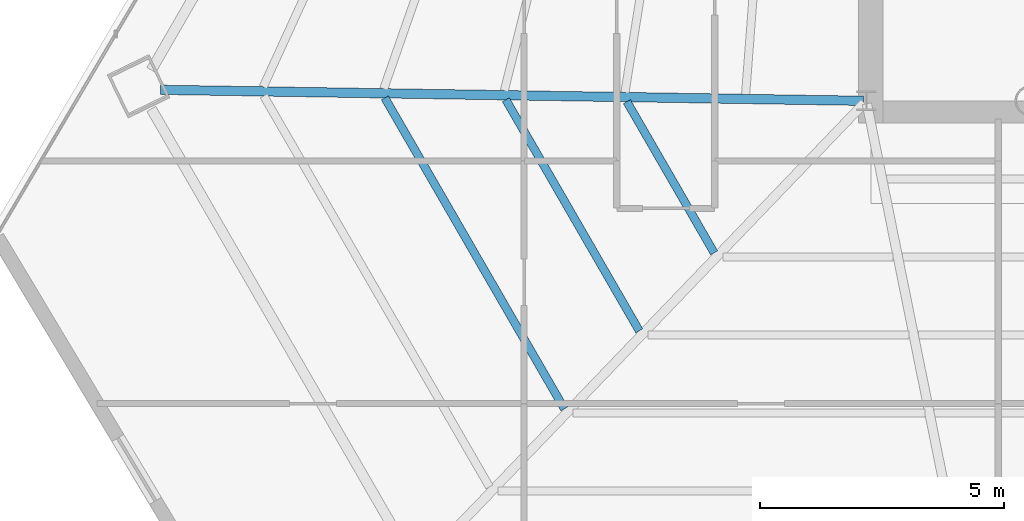
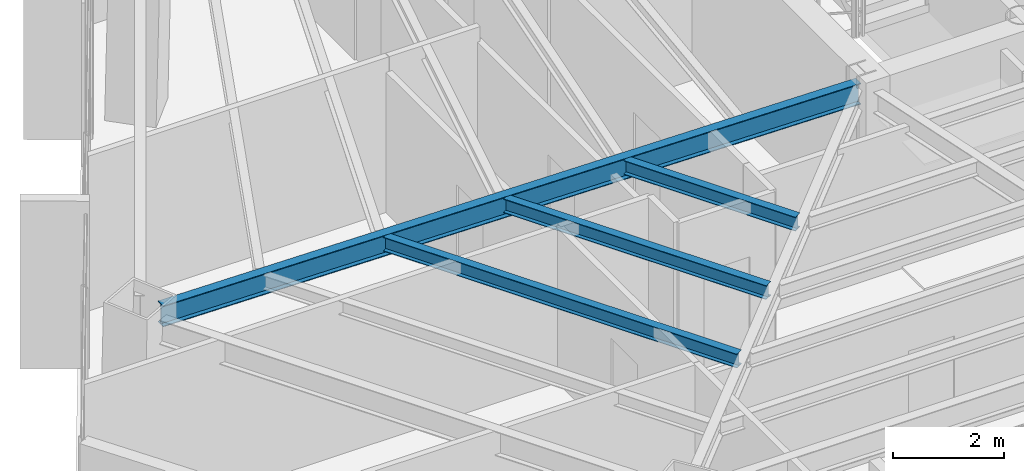
# One storey, part 7 of 40: 4 beams.
"""IFC4 building model written with IfcOpenShell, lengths in metres."""

from ifc_helpers import new_model, si_unit, direction, frame, origin, origin_2d, place, context, subcontext, project, spatial, i_section, extrude, source, transform, mapped, material, material_profile, profile_set, type_object, type_shapes, element, save


model = new_model("IFC4")

# Units and contexts
model_context = context("Model", 3, precision=1e-05, world=origin(), true_north=direction((0.0, 1.0)))
body_context = subcontext(model_context, "Body", "Model", "MODEL_VIEW")
ifc_project = project(units=[si_unit("LENGTHUNIT", "METRE"), si_unit("AREAUNIT", "SQUARE_METRE"), si_unit("VOLUMEUNIT", "CUBIC_METRE"), si_unit("PLANEANGLEUNIT", "RADIAN"), si_unit("MASSUNIT", "GRAM", prefix="KILO")], contexts=[model_context])

# Site, building, storey
site_placement = place(None, origin())
site = spatial("IfcSite", under=ifc_project, at=site_placement, CompositionType="ELEMENT")
building_placement = place(site_placement, origin())
building = spatial("IfcBuilding", under=site, at=building_placement, Name="Caelisora Broadcast Tower", CompositionType="ELEMENT")
storey_placement = place(building_placement, frame((0.0, 0.0, 176.75)))
storey = spatial("IfcBuildingStorey", under=building, at=storey_placement, Name="L46", CompositionType="ELEMENT", Elevation=176.75)

# Beams
ifc_material = material(Name="Steel Grade 350 (AS/NZS 3679.1)", Category="steel")
ifc_material_profile_1 = material_profile(ifc_material, i_section(OverallWidth=0.19091796875, OverallDepth=0.46044921875, WebThickness=0.010009765625, FlangeThickness=0.01611328125, at=origin_2d()), Name="Steel Grade 350 (AS/NZS 3679.1)")
ifc_profile_set_1 = profile_set([ifc_material_profile_1], Name="Steel Grade 350 (AS/NZS 3679.1)")
beam_type_1 = type_object("IfcBeamType", Name="PG06", PredefinedType="BEAM", material=ifc_profile_set_1)
shared_shape_1 = source(origin(), body_context, "Body", "SweptSolid", [
    extrude(i_section(OverallWidth=0.19091796875, OverallDepth=0.46044921875, WebThickness=0.010009765625, FlangeThickness=0.01611328125, at=origin_2d()), origin(), (0.0, 0.0, 1.0), 14.37353515625),
])
type_shapes(beam_type_1, [shared_shape_1])
beam_1_placement = place(storey_placement, frame((30.43994140625, 17.40087890625, 3.169921875), z_axis=(-0.999877366776, 0.015660504734, 0.0), x_axis=(-0.015660504734, -0.999877366776, 0.0)))
element("IfcBeam", 1, at=beam_1_placement, inside=storey, type_object=beam_type_1, Name="L46 beam PG06", PredefinedType="BEAM", context=body_context, shape_type="MappedRepresentation", body=[
    mapped(shared_shape_1, transform((0.0, 0.0, 0.0), scale=1.0)),
])
ifc_material_profile_2 = material_profile(ifc_material, i_section(OverallWidth=0.166015625, OverallDepth=0.30712890625, WebThickness=0.006591796875, FlangeThickness=0.01171875, at=origin_2d()), Name="Steel Grade 350 (AS/NZS 3679.1)")
ifc_profile_set_2 = profile_set([ifc_material_profile_2], Name="Steel Grade 350 (AS/NZS 3679.1)")
beam_type_2 = type_object("IfcBeamType", Name="SB03", PredefinedType="JOIST", material=ifc_profile_set_2)
shared_shape_2 = source(origin(), body_context, "Body", "SweptSolid", [
    extrude(i_section(OverallWidth=0.166015625, OverallDepth=0.30712890625, WebThickness=0.006591796875, FlangeThickness=0.01171875, at=origin_2d()), origin(), (0.0, 0.0, 1.0), 3.569580078125),
])
beam_2_placement = place(storey_placement, frame((25.603515625, 17.3837890625, 3.246337890625), z_axis=(0.500030309877, -0.866007903661, 0.0), x_axis=(0.866007903661, 0.500030309877, 0.0)))
element("IfcBeam", 2, at=beam_2_placement, inside=storey, type_object=beam_type_2, Name="L46 beam SB03", PredefinedType="JOIST", context=body_context, shape_type="MappedRepresentation", body=[
    mapped(shared_shape_2, transform((0.0, 0.0, 0.0), scale=1.0)),
])
shared_shape_3 = source(origin(), body_context, "Body", "SweptSolid", [
    extrude(i_section(OverallWidth=0.166015625, OverallDepth=0.30712890625, WebThickness=0.006591796875, FlangeThickness=0.01171875, at=origin_2d()), origin(), (0.0, 0.0, 1.0), 5.456787109375),
])
beam_3_placement = place(storey_placement, frame((23.12841796875, 17.422607421875, 3.246337890625), z_axis=(0.499974190348, -0.866040304481, 0.0), x_axis=(0.866040304481, 0.499974190348, 0.0)))
element("IfcBeam", 3, at=beam_3_placement, inside=storey, type_object=beam_type_2, Name="L46 beam SB03", PredefinedType="JOIST", context=body_context, shape_type="MappedRepresentation", body=[
    mapped(shared_shape_3, transform((0.0, 0.0, 0.0), scale=1.0)),
])
shared_shape_4 = source(origin(), body_context, "Body", "SweptSolid", [
    extrude(i_section(OverallWidth=0.166015625, OverallDepth=0.30712890625, WebThickness=0.006591796875, FlangeThickness=0.01171875, at=origin_2d()), origin(), (0.0, 0.0, 1.0), 7.34375),
])
type_shapes(beam_type_2, [shared_shape_2, shared_shape_3, shared_shape_4])
beam_4_placement = place(storey_placement, frame((20.653076171875, 17.461181640625, 3.246337890625), z_axis=(0.500000635496, -0.86602503688, 0.0), x_axis=(0.86602503688, 0.500000635496, 0.0)))
element("IfcBeam", 4, at=beam_4_placement, inside=storey, type_object=beam_type_2, Name="L46 beam SB03", PredefinedType="JOIST", context=body_context, shape_type="MappedRepresentation", body=[
    mapped(shared_shape_4, transform((0.0, 0.0, 0.0), scale=1.0)),
])

save(model, "model.ifc")
